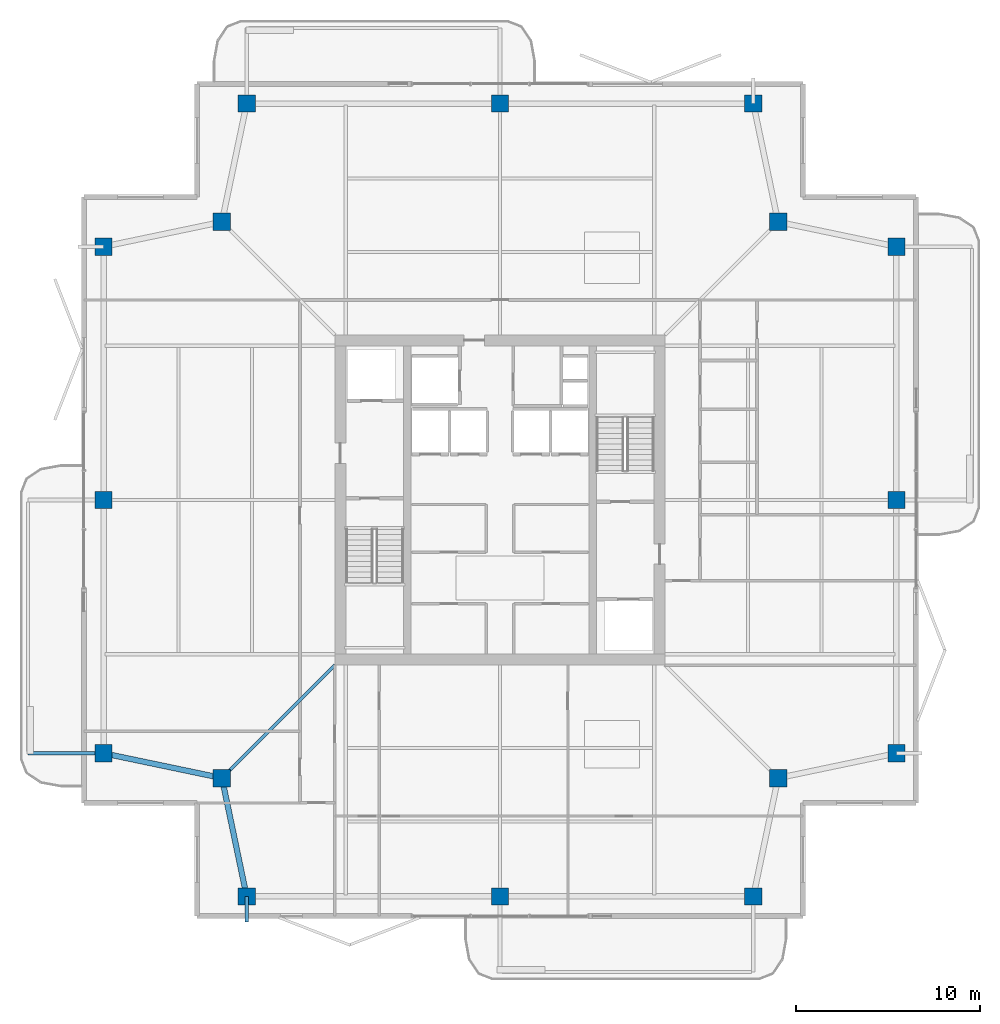
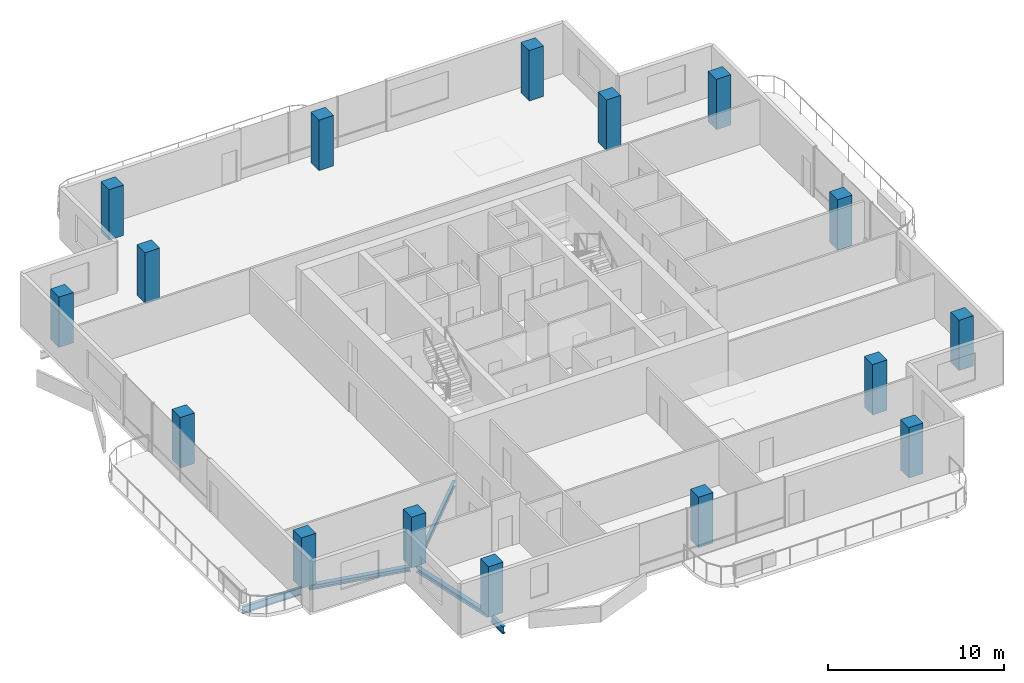
# One storey, part 1 of 18: 16 columns, 5 beams.
"""IFC4 building model written with IfcOpenShell, lengths in metres."""

from ifc_helpers import new_model, si_unit, direction, frame, origin, origin_2d, place, context, subcontext, project, spatial, rectangle, i_section, extrude, material, material_profile, profile_set, type_object, element, save


model = new_model("IFC4")

# Units and contexts
model_context = context("Model", 3, precision=1e-05, world=origin(), true_north=direction((0.0, 1.0)))
body_context = subcontext(model_context, "Body", "Model", "MODEL_VIEW")
ifc_project = project(units=[si_unit("LENGTHUNIT", "METRE"), si_unit("AREAUNIT", "SQUARE_METRE"), si_unit("VOLUMEUNIT", "CUBIC_METRE"), si_unit("PLANEANGLEUNIT", "RADIAN"), si_unit("MASSUNIT", "GRAM", prefix="KILO")], contexts=[model_context])

# Site, building, storey
site_placement = place(None, origin())
site = spatial("IfcSite", under=ifc_project, at=site_placement, CompositionType="ELEMENT")
building_placement = place(site_placement, origin())
building = spatial("IfcBuilding", under=site, at=building_placement, Name="Belovzor Exchange Tower", CompositionType="ELEMENT")
storey_placement = place(building_placement, frame((0.0, 0.0, 310.5)))
storey = spatial("IfcBuildingStorey", under=building, at=storey_placement, Name="L77", CompositionType="ELEMENT", Elevation=310.5)

# Columns
ifc_material_1 = material(Name="Concrete C50/60", Category="concrete")
ifc_material_profile_1 = material_profile(ifc_material_1, rectangle(XDim=0.949951171875, YDim=0.949951171875, at=origin_2d()))
ifc_profile_set_1 = profile_set([ifc_material_profile_1], Name="Concrete C50/60")
column_type = type_object("IfcColumnType", Name="Reinforced Concrete Tower Column 950x950", PredefinedType="COLUMN", material=ifc_profile_set_1)
for number, where, z_axis, x_axis, name in (
    (1, (15.0, 7.199951171875, 0.0029296875), (0.0, 0.0, 1.0), (1.0, 0.0, 0.0), "COL-T095 Reinforced Concrete Tower Column 950x950"),
    (2, (28.800048828125, 7.199951171875, 0.0029296875), (0.0, 0.0, 1.0), (1.0, 0.0, 0.0), "COL-T095 Reinforced Concrete Tower Column 950x950"),
    (3, (42.60009765625, 7.199951171875, 0.0029296875), (0.0, 0.0, 1.0), (1.0, 0.0, 0.0), "COL-T095 Reinforced Concrete Tower Column 950x950"),
    (4, (50.39990234375, 15.0, 0.0029296875), (0.0, 0.0, 1.0), (1.0, 0.0, 0.0), "COL-T095 Reinforced Concrete Tower Column 950x950"),
    (5, (50.39990234375, 28.800048828125, 0.0029296875), (0.0, 0.0, 1.0), (1.0, 0.0, 0.0), "COL-T095 Reinforced Concrete Tower Column 950x950"),
    (6, (50.39990234375, 42.60009765625, 0.0029296875), (0.0, 0.0, 1.0), (1.0, 0.0, 0.0), "COL-T095 Reinforced Concrete Tower Column 950x950"),
    (7, (42.60009765625, 50.39990234375, 0.0029296875), (0.0, 0.0, 1.0), (1.0, 0.0, 0.0), "COL-T095 Reinforced Concrete Tower Column 950x950"),
    (8, (28.800048828125, 50.39990234375, 0.0029296875), (0.0, 0.0, 1.0), (1.0, 0.0, 0.0), "COL-T095 Reinforced Concrete Tower Column 950x950"),
    (9, (15.0, 50.39990234375, 0.0029296875), (0.0, 0.0, 1.0), (1.0, 0.0, 0.0), "COL-T095 Reinforced Concrete Tower Column 950x950"),
    (10, (7.199951171875, 42.60009765625, 0.0029296875), (0.0, 0.0, 1.0), (1.0, 0.0, 0.0), "COL-T095 Reinforced Concrete Tower Column 950x950"),
    (11, (7.199951171875, 28.800048828125, 0.0029296875), (0.0, 0.0, 1.0), (1.0, 0.0, 0.0), "COL-T095 Reinforced Concrete Tower Column 950x950"),
    (12, (7.199951171875, 15.0, 0.0029296875), (0.0, 0.0, 1.0), (1.0, 0.0, 0.0), "COL-T095 Reinforced Concrete Tower Column 950x950"),
    (13, (13.64990234375, 13.64990234375, 0.0029296875), (0.0, 0.0, 1.0), (1.0, 0.0, 0.0), "COL-T095 Reinforced Concrete Tower Column 950x950"),
    (14, (43.949951171875, 13.64990234375, 0.0029296875), (0.0, 0.0, 1.0), (1.0, 0.0, 0.0), "COL-T095 Reinforced Concrete Tower Column 950x950"),
    (15, (43.949951171875, 43.949951171875, 0.0029296875), (0.0, 0.0, 1.0), (1.0, 0.0, 0.0), "COL-T095 Reinforced Concrete Tower Column 950x950"),
    (16, (13.64990234375, 43.949951171875, 0.0029296875), (0.0, 0.0, 1.0), (1.0, 0.0, 0.0), "COL-T095 Reinforced Concrete Tower Column 950x950"),
):
    element("IfcColumn", number, at=place(storey_placement, frame(where, z_axis=z_axis, x_axis=x_axis)), inside=storey, type_object=column_type, Name=name, PredefinedType="COLUMN", context=body_context, shape_type="SweptSolid", body=[
        extrude(rectangle(XDim=0.949951171875, YDim=0.949951171875, at=origin_2d()), origin(), (0.0, 0.0, 1.0), 3.504150390625),
    ])

# Beams
ifc_material_2 = material(Name="Steel S355", Category="steel")
ifc_material_profile_2 = material_profile(ifc_material_2, i_section(OverallWidth=0.199951171875, OverallDepth=0.5, WebThickness=0.01025390625, FlangeThickness=0.01611328125, at=origin_2d()))
ifc_profile_set_2 = profile_set([ifc_material_profile_2], Name="Steel S355")
beam_type_1 = type_object("IfcBeamType", Name="Planted Balcony Cantilever Beam IPE 500", PredefinedType="BEAM", material=ifc_profile_set_2)
beam_1_placement = place(storey_placement, frame((6.93896484375, 15.0, -0.489990234375), z_axis=(-1.0, 0.0, 0.0), x_axis=(0.0, -1.0, 0.0)))
element("IfcBeam", 17, at=beam_1_placement, inside=storey, type_object=beam_type_1, Name="BC-500 Planted Balcony Cantilever Beam IPE 500", PredefinedType="BEAM", context=body_context, shape_type="SweptSolid", body=[
    extrude(i_section(OverallWidth=0.199951171875, OverallDepth=0.5, WebThickness=0.01025390625, FlangeThickness=0.01611328125, at=origin_2d()), origin(), (0.0, 0.0, 1.0), 3.849853515625),
])
beam_2_placement = place(storey_placement, frame((15.0, 7.199951171875, -0.489990234375), z_axis=(0.0, -1.0, 0.0), x_axis=(1.0, 0.0, 0.0)))
element("IfcBeam", 18, at=beam_2_placement, inside=storey, type_object=beam_type_1, Name="BC-500 Planted Balcony Cantilever Beam IPE 500", PredefinedType="BEAM", context=body_context, shape_type="SweptSolid", body=[
    extrude(i_section(OverallWidth=0.199951171875, OverallDepth=0.5, WebThickness=0.01025390625, FlangeThickness=0.01611328125, at=origin_2d()), origin(), (0.0, 0.0, 1.0), 1.39990234375),
])
ifc_material_3 = material(Name="Steel S355", Category="steel")
ifc_material_profile_3 = material_profile(ifc_material_3, i_section(OverallWidth=0.179931640625, OverallDepth=0.39990234375, WebThickness=0.008544921875, FlangeThickness=0.013427734375, at=origin_2d()))
ifc_profile_set_3 = profile_set([ifc_material_profile_3], Name="Steel S355")
beam_type_2 = type_object("IfcBeamType", Name="Zone 5-6 Radial Composite Floor Beam IPE 400", PredefinedType="BEAM", material=ifc_profile_set_3)
beam_3_placement = place(storey_placement, frame((19.800048828125, 19.800048828125, -0.43994140625), z_axis=(-0.707106781187, -0.707106781187, 0.0), x_axis=(0.707106781187, -0.707106781187, 0.0)))
element("IfcBeam", 19, at=beam_3_placement, inside=storey, type_object=beam_type_2, Name="FB-400 Zone 5-6 Radial Composite Floor Beam IPE 400", PredefinedType="BEAM", context=body_context, shape_type="SweptSolid", body=[
    extrude(i_section(OverallWidth=0.179931640625, OverallDepth=0.39990234375, WebThickness=0.008544921875, FlangeThickness=0.013427734375, at=origin_2d()), origin(), (0.0, 0.0, 1.0), 8.361083984375),
])
ifc_material_4 = material(Name="Steel S355", Category="steel")
ifc_material_profile_4 = material_profile(ifc_material_4, i_section(OverallWidth=0.300048828125, OverallDepth=0.300048828125, WebThickness=0.008544921875, FlangeThickness=0.013916015625, at=origin_2d()))
ifc_profile_set_4 = profile_set([ifc_material_profile_4], Name="Steel S355")
beam_type_3 = type_object("IfcBeamType", Name="Zone 6 Primary Girder HEA 300", PredefinedType="BEAM", material=ifc_profile_set_4)
for number, where, z_axis, x_axis, name in (
    (20, (13.7041015625, 13.39404296875, -0.389892578125), (0.204722380619, -0.978820078908, 0.0), (0.978820078908, 0.204722380619, 0.0), "FG-Z6 Zone 6 Primary Girder HEA 300"),
    (21, (7.4560546875, 14.946044921875, -0.389892578125), (0.978820078908, -0.204722380619, 0.0), (0.204722380619, 0.978820078908, 0.0), "FG-Z6 Zone 6 Primary Girder HEA 300"),
):
    element("IfcBeam", number, at=place(storey_placement, frame(where, z_axis=z_axis, x_axis=x_axis)), inside=storey, type_object=beam_type_3, Name=name, PredefinedType="BEAM", context=body_context, shape_type="SweptSolid", body=[
        extrude(i_section(OverallWidth=0.300048828125, OverallDepth=0.300048828125, WebThickness=0.008544921875, FlangeThickness=0.013916015625, at=origin_2d()), origin(), (0.0, 0.0, 1.0), 6.06640625),
    ])

save(model, "model.ifc")
